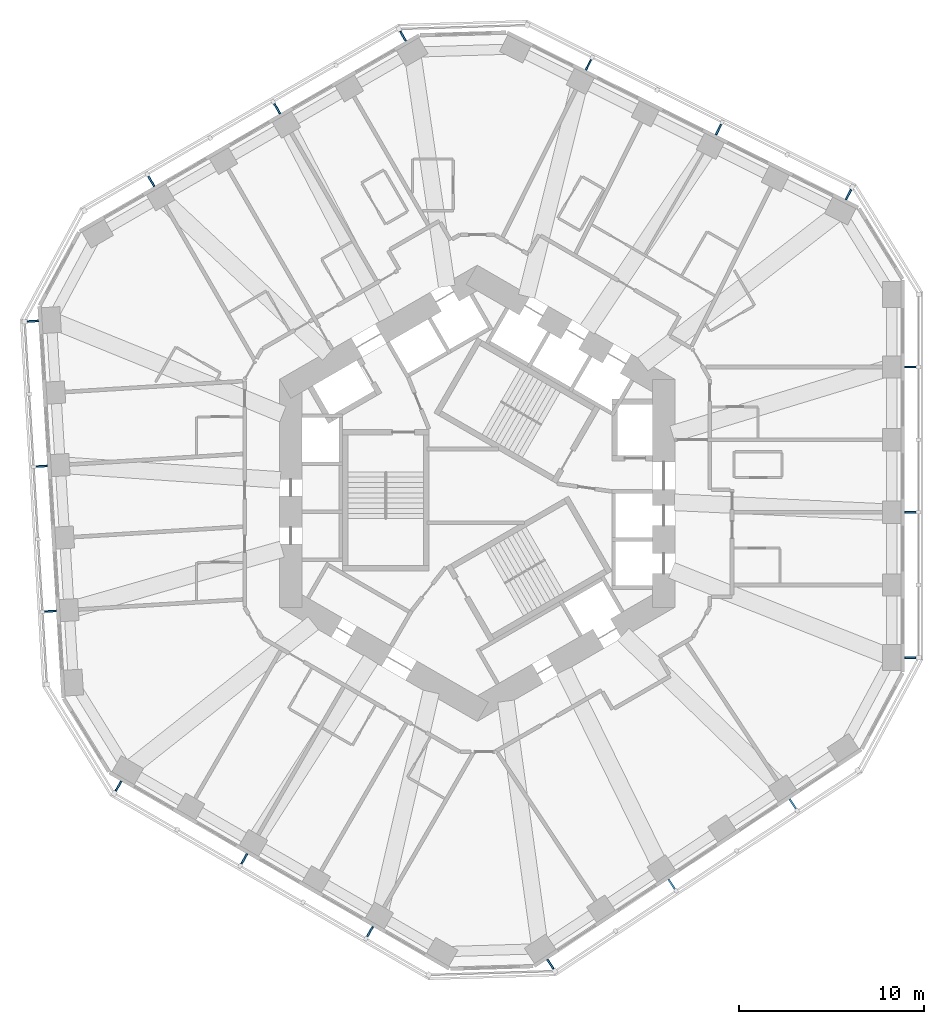
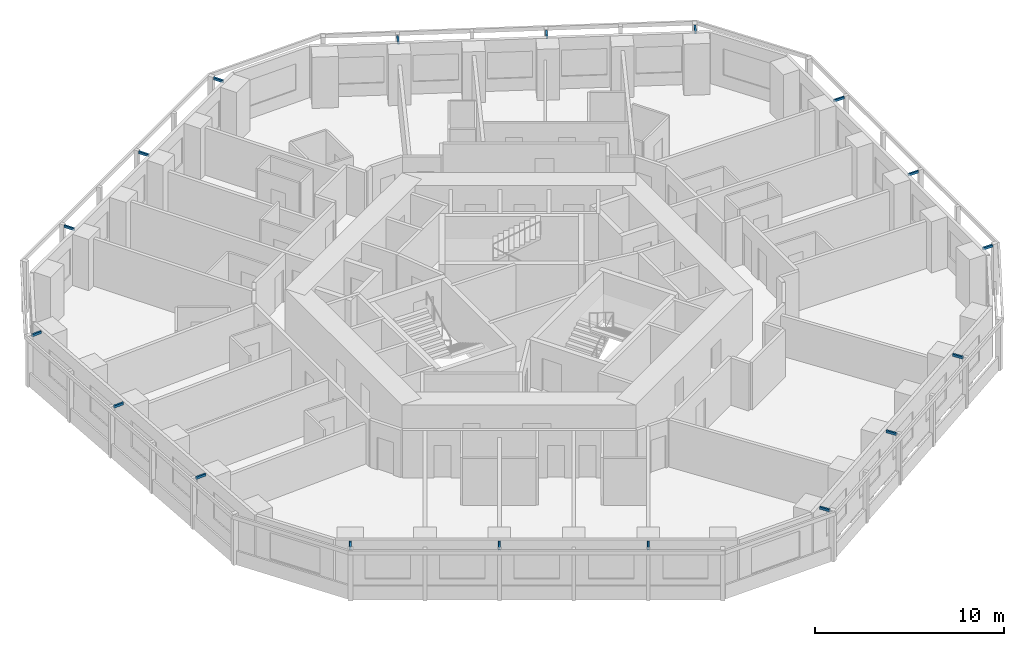
# One storey, part 11 of 12: 18 discrete accessories.
"""IFC4 building model written with IfcOpenShell, lengths in metres."""

from ifc_helpers import new_model, si_unit, direction, frame, origin, origin_2d, place, context, subcontext, project, spatial, rectangle, extrude, material, type_object, element, save


model = new_model("IFC4")

# Units and contexts
model_context = context("Model", 3, precision=1e-05, world=origin(), true_north=direction((0.0, 1.0)))
body_context = subcontext(model_context, "Body", "Model", "MODEL_VIEW")
ifc_project = project(units=[si_unit("LENGTHUNIT", "METRE"), si_unit("AREAUNIT", "SQUARE_METRE"), si_unit("VOLUMEUNIT", "CUBIC_METRE"), si_unit("PLANEANGLEUNIT", "RADIAN"), si_unit("MASSUNIT", "GRAM", prefix="KILO")], contexts=[model_context])

# Site, building, storey
site_placement = place(None, origin())
site = spatial("IfcSite", under=ifc_project, at=site_placement, CompositionType="ELEMENT")
building_placement = place(site_placement, origin())
building = spatial("IfcBuilding", under=site, at=building_placement, Name="Vanh Sen Convention Tower", CompositionType="ELEMENT")
storey_placement = place(building_placement, frame((0.0, 0.0, 86.89990234375)))
storey = spatial("IfcBuildingStorey", under=building, at=storey_placement, Name="L19", CompositionType="ELEMENT", Elevation=86.89990234375)

# Discrete accessories
ifc_material = material(Name="Steel S355", Category="steel")
discrete_accessory_type = type_object("IfcDiscreteAccessoryType", Name="Fin bracket 100 x 150", PredefinedType="BRACKET", material=ifc_material)
discrete_accessory_1_placement = place(storey_placement, frame((23.449951171875, -8.899169921875, 3.10009765625), z_axis=(0.0, 0.0, 1.0), x_axis=(1.0, 0.0, 0.0)))
element("IfcDiscreteAccessory", 1, at=discrete_accessory_1_placement, inside=storey, type_object=discrete_accessory_type, Name="Fin bracket E-1 L19", PredefinedType="BRACKET", context=body_context, shape_type="SweptSolid", body=[
    extrude(rectangle(XDim=0.60009765625, YDim=0.10009765625, at=origin_2d()), origin(), (0.0, 0.0, 1.0), 0.14990234375),
])
for number, where, z_axis, x_axis, name in (
    (2, (23.46240234375, -1.030029296875, 3.10009765625), (0.0, 0.0, 1.0), (1.0, 0.0, 0.0), "Fin bracket E-3 L19"),
    (3, (23.46240234375, 6.839111328125, 3.10009765625), (0.0, 0.0, 1.0), (1.0, 0.0, 0.0), "Fin bracket E-5 L19"),
):
    element("IfcDiscreteAccessory", number, at=place(storey_placement, frame(where, z_axis=z_axis, x_axis=x_axis)), inside=storey, type_object=discrete_accessory_type, Name=name, PredefinedType="BRACKET", context=body_context, shape_type="SweptSolid", body=[
        extrude(rectangle(XDim=0.625, YDim=0.10009765625, at=origin_2d()), origin(), (0.0, 0.0, 1.0), 0.14990234375),
    ])
discrete_accessory_2_placement = place(storey_placement, frame((20.10498046875, 16.178955078125, 3.10009765625), z_axis=(0.0, 0.0, 1.0), x_axis=(0.44619781311, 0.894934361602, 0.0)))
element("IfcDiscreteAccessory", 4, at=discrete_accessory_2_placement, inside=storey, type_object=discrete_accessory_type, Name="Fin bracket NE-1 L19", PredefinedType="BRACKET", context=body_context, shape_type="SweptSolid", body=[
    extrude(rectangle(XDim=0.60009765625, YDim=0.10009765625, at=origin_2d()), origin(), (0.0, 0.0, 1.0), 0.14990234375),
])
for number, where, z_axis, x_axis, name in (
    (5, (13.068359375, 19.701416015625, 3.10009765625), (0.0, 0.0, 1.0), (0.44619781311, 0.894934361602, 0.0), "Fin bracket NE-3 L19"),
    (6, (6.02587890625, 23.212646484375, 3.10009765625), (0.0, 0.0, 1.0), (0.44619781311, 0.894934361602, 0.0), "Fin bracket NE-5 L19"),
):
    element("IfcDiscreteAccessory", number, at=place(storey_placement, frame(where, z_axis=z_axis, x_axis=x_axis)), inside=storey, type_object=discrete_accessory_type, Name=name, PredefinedType="BRACKET", context=body_context, shape_type="SweptSolid", body=[
        extrude(rectangle(XDim=0.625, YDim=0.10009765625, at=origin_2d()), origin(), (0.0, 0.0, 1.0), 0.14990234375),
    ])
discrete_accessory_3_placement = place(storey_placement, frame((-4.01806640625, 24.7578125, 3.10009765625), z_axis=(0.0, 0.0, 1.0), x_axis=(-0.5, 0.866025403784, 0.0)))
element("IfcDiscreteAccessory", 7, at=discrete_accessory_3_placement, inside=storey, type_object=discrete_accessory_type, Name="Fin bracket NW-1 L19", PredefinedType="BRACKET", context=body_context, shape_type="SweptSolid", body=[
    extrude(rectangle(XDim=0.60009765625, YDim=0.10009765625, at=origin_2d()), origin(), (0.0, 0.0, 1.0), 0.14990234375),
])
for number, where, z_axis, x_axis, name in (
    (8, (-10.839111328125, 20.834228515625, 3.10009765625), (0.0, 0.0, 1.0), (-0.5, 0.866025403784, 0.0), "Fin bracket NW-3 L19"),
    (9, (-17.654296875, 16.899658203125, 3.10009765625), (0.0, 0.0, 1.0), (-0.5, 0.866025403784, 0.0), "Fin bracket NW-5 L19"),
):
    element("IfcDiscreteAccessory", number, at=place(storey_placement, frame(where, z_axis=z_axis, x_axis=x_axis)), inside=storey, type_object=discrete_accessory_type, Name=name, PredefinedType="BRACKET", context=body_context, shape_type="SweptSolid", body=[
        extrude(rectangle(XDim=0.625, YDim=0.10009765625, at=origin_2d()), origin(), (0.0, 0.0, 1.0), 0.14990234375),
    ])
discrete_accessory_4_placement = place(storey_placement, frame((-24.06396484375, 9.322021484375, 3.10009765625), z_axis=(0.0, 0.0, 1.0), x_axis=(-0.998134798422, -0.061048539535, 0.0)))
element("IfcDiscreteAccessory", 10, at=discrete_accessory_4_placement, inside=storey, type_object=discrete_accessory_type, Name="Fin bracket W-1 L19", PredefinedType="BRACKET", context=body_context, shape_type="SweptSolid", body=[
    extrude(rectangle(XDim=0.60009765625, YDim=0.10009765625, at=origin_2d()), origin(), (0.0, 0.0, 1.0), 0.14990234375),
])
for number, where, z_axis, x_axis, name in (
    (11, (-23.595947265625, 1.466796875, 3.10009765625), (0.0, 0.0, 1.0), (-0.998134798422, -0.061048539535, 0.0), "Fin bracket W-3 L19"),
    (12, (-23.115478515625, -6.3876953125, 3.10009765625), (0.0, 0.0, 1.0), (-0.998134798422, -0.061048539535, 0.0), "Fin bracket W-5 L19"),
):
    element("IfcDiscreteAccessory", number, at=place(storey_placement, frame(where, z_axis=z_axis, x_axis=x_axis)), inside=storey, type_object=discrete_accessory_type, Name=name, PredefinedType="BRACKET", context=body_context, shape_type="SweptSolid", body=[
        extrude(rectangle(XDim=0.625, YDim=0.10009765625, at=origin_2d()), origin(), (0.0, 0.0, 1.0), 0.14990234375),
    ])
discrete_accessory_5_placement = place(storey_placement, frame((-19.431884765625, -15.858642578125, 3.10009765625), z_axis=(0.0, 0.0, 1.0), x_axis=(-0.5, -0.866025403784, 0.0)))
element("IfcDiscreteAccessory", 13, at=discrete_accessory_5_placement, inside=storey, type_object=discrete_accessory_type, Name="Fin bracket SW-1 L19", PredefinedType="BRACKET", context=body_context, shape_type="SweptSolid", body=[
    extrude(rectangle(XDim=0.60009765625, YDim=0.10009765625, at=origin_2d()), origin(), (0.0, 0.0, 1.0), 0.14990234375),
])
for number, where, z_axis, x_axis, name in (
    (14, (-12.623291015625, -19.80419921875, 3.10009765625), (0.0, 0.0, 1.0), (-0.5, -0.866025403784, 0.0), "Fin bracket SW-3 L19"),
    (15, (-5.808349609375, -23.73876953125, 3.10009765625), (0.0, 0.0, 1.0), (-0.5, -0.866025403784, 0.0), "Fin bracket SW-5 L19"),
):
    element("IfcDiscreteAccessory", number, at=place(storey_placement, frame(where, z_axis=z_axis, x_axis=x_axis)), inside=storey, type_object=discrete_accessory_type, Name=name, PredefinedType="BRACKET", context=body_context, shape_type="SweptSolid", body=[
        extrude(rectangle(XDim=0.625, YDim=0.10009765625, at=origin_2d()), origin(), (0.0, 0.0, 1.0), 0.14990234375),
    ])
discrete_accessory_6_placement = place(storey_placement, frame((3.958740234375, -25.5009765625, 3.10009765625), z_axis=(0.0, 0.0, 1.0), x_axis=(0.551936985312, -0.833885822067, 0.0)))
element("IfcDiscreteAccessory", 16, at=discrete_accessory_6_placement, inside=storey, type_object=discrete_accessory_type, Name="Fin bracket SE-1 L19", PredefinedType="BRACKET", context=body_context, shape_type="SweptSolid", body=[
    extrude(rectangle(XDim=0.60009765625, YDim=0.10009765625, at=origin_2d()), origin(), (0.0, 0.0, 1.0), 0.14990234375),
])
for number, where, z_axis, x_axis, name in (
    (17, (10.527587890625, -21.168212890625, 3.10009765625), (0.0, 0.0, 1.0), (0.551936985312, -0.833885822067, 0.0), "Fin bracket SE-3 L19"),
    (18, (17.089599609375, -16.824951171875, 3.10009765625), (0.0, 0.0, 1.0), (0.551936985312, -0.833885822067, 0.0), "Fin bracket SE-5 L19"),
):
    element("IfcDiscreteAccessory", number, at=place(storey_placement, frame(where, z_axis=z_axis, x_axis=x_axis)), inside=storey, type_object=discrete_accessory_type, Name=name, PredefinedType="BRACKET", context=body_context, shape_type="SweptSolid", body=[
        extrude(rectangle(XDim=0.625, YDim=0.10009765625, at=origin_2d()), origin(), (0.0, 0.0, 1.0), 0.14990234375),
    ])

save(model, "model.ifc")
